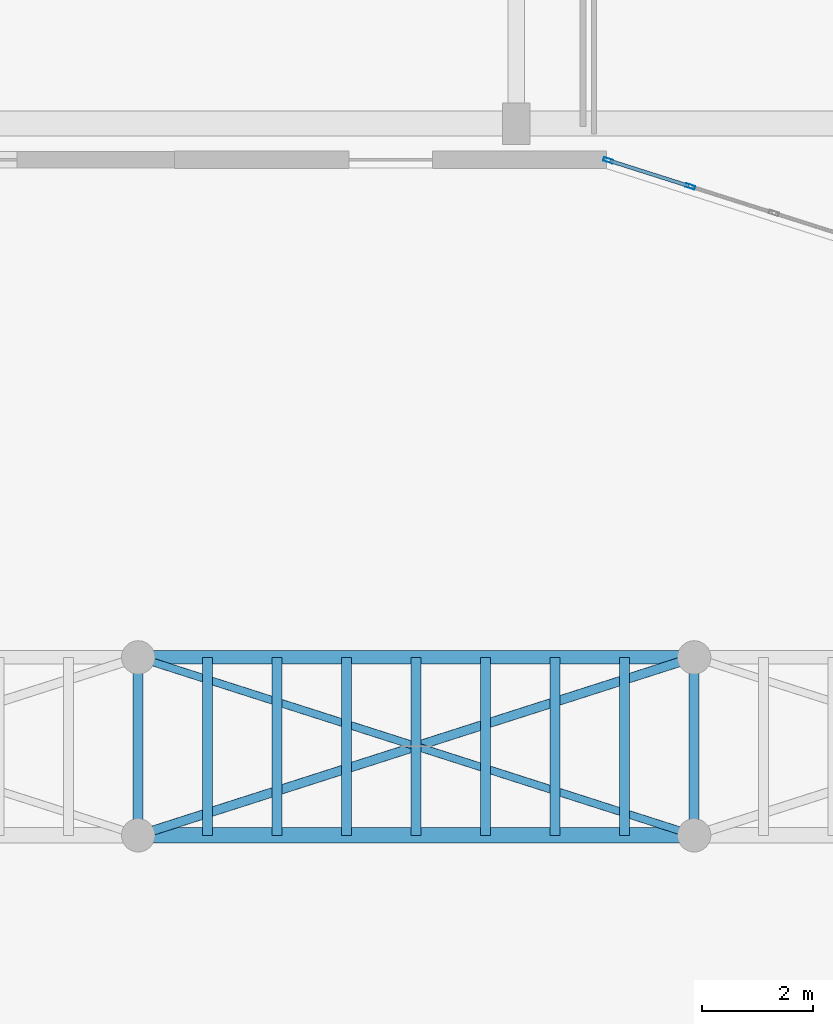
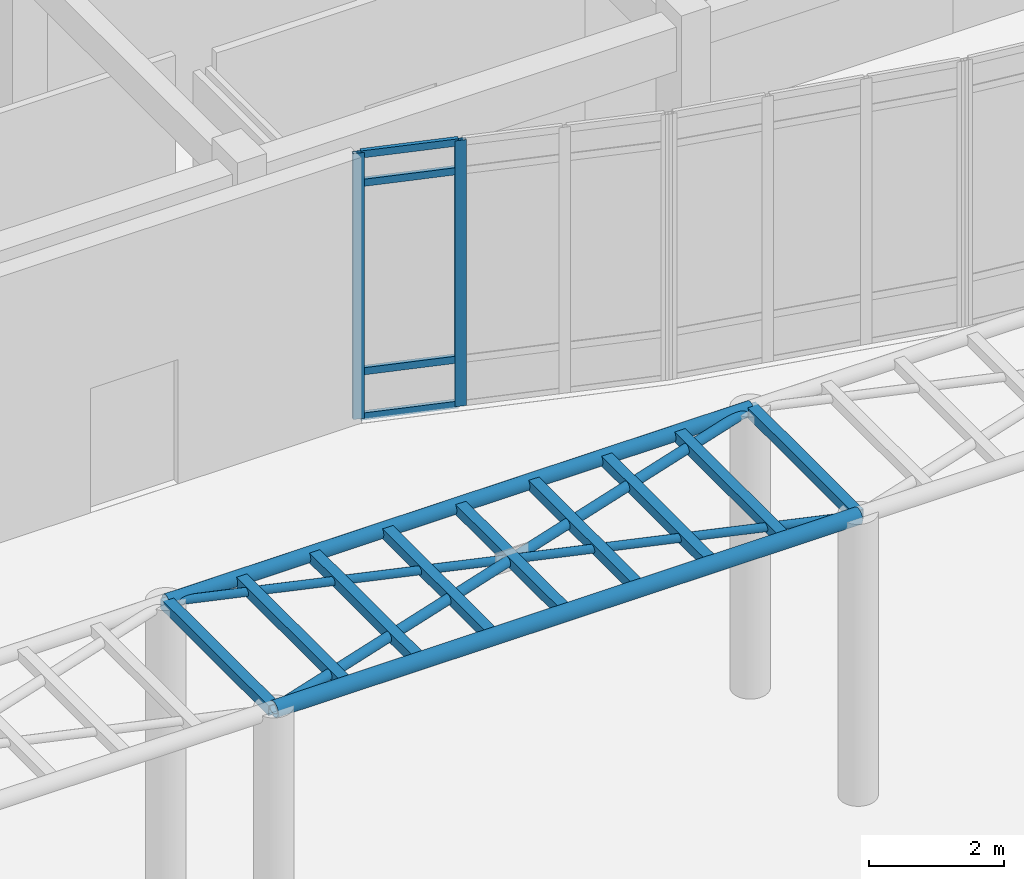
# One storey, part 44 of 121: 20 members, 1 element without a shape of its own.
"""IFC4 building model written with IfcOpenShell, lengths in metres."""

from ifc_helpers import new_model, si_unit, direction, frame, origin, origin_2d, place, context, subcontext, project, spatial, hollow_rectangle, hollow_circle, extrude, material, layer, layer_set, material_profile, profile_set, type_object, element, aggregate, save


model = new_model("IFC4")

# Units and contexts
model_context = context("Model", 3, precision=1e-05, world=origin(), true_north=direction((0.0, 1.0)))
body_context = subcontext(model_context, "Body", "Model", "MODEL_VIEW")
ifc_project = project(units=[si_unit("LENGTHUNIT", "METRE"), si_unit("AREAUNIT", "SQUARE_METRE"), si_unit("VOLUMEUNIT", "CUBIC_METRE"), si_unit("PLANEANGLEUNIT", "RADIAN"), si_unit("MASSUNIT", "GRAM", prefix="KILO")], contexts=[model_context])

# Site, building, storey
site_placement = place(None, origin())
site = spatial("IfcSite", under=ifc_project, at=site_placement, CompositionType="ELEMENT")
building_placement = place(site_placement, origin())
building = spatial("IfcBuilding", under=site, at=building_placement, Name="Valcora Specialist Clinic", CompositionType="ELEMENT")
storey_placement = place(building_placement, origin())
storey = spatial("IfcBuildingStorey", under=building, at=storey_placement, Name="L00", CompositionType="ELEMENT", Elevation=0.0)

# Curtain wall, members
ifc_material_1 = material(Name="Anodized Bronze Aluminium 6063-T6", Category="aluminium")
ifc_layer = layer(ifc_material_1, 0.175048828125)
ifc_layer_set = layer_set([ifc_layer], Name="Anodized Bronze Aluminium 6063-T6")
curtain_wall_type = type_object("IfcCurtainWallType", Name="TY-CW-ARC51", PredefinedType="NOTDEFINED", material=ifc_layer_set)
curtain_wall_placement = place(storey_placement, origin())
curtain_wall = element("IfcCurtainWall", 1, at=curtain_wall_placement, inside=storey, type_object=curtain_wall_type, Name="Curtain wall CW-L00-028", PredefinedType="NOTDEFINED")
ifc_material_profile_1 = material_profile(ifc_material_1, hollow_rectangle(XDim=0.06494140625, YDim=0.175048828125, WallThickness=0.00390625, at=origin_2d()), Name="AL-MUL-65X175")
ifc_profile_set_1 = profile_set([ifc_material_profile_1], Name="Anodized Bronze Aluminium 6063-T6")
member_type_1 = type_object("IfcMemberType", Name="TY-CWM-65X175", PredefinedType="MULLION", material=ifc_profile_set_1)
member_1_placement = place(storey_placement, frame((93.928466796875, 73.6708984375, 0.0), z_axis=(0.0, 0.0, 1.0), x_axis=(-0.303233270958, -0.952916356972, 0.0)))
member_1 = element("IfcMember", 2, at=member_1_placement, type_object=member_type_1, Name="CW-ARC-51 mullion 3", PredefinedType="MULLION", context=body_context, shape_type="SweptSolid", body=[
    extrude(hollow_rectangle(XDim=0.06494140625, YDim=0.175048828125, WallThickness=0.00390625, at=origin_2d()), origin(), (0.0, 0.0, 1.0), 4.81005859375),
])
member_2_placement = place(storey_placement, frame((92.454345703125, 74.14013671875, 0.0), z_axis=(0.0, 0.0, 1.0), x_axis=(-0.303233270958, -0.952916356972, 0.0)))
member_2 = element("IfcMember", 3, at=member_2_placement, type_object=member_type_1, Name="CW-ARC-51 mullion 4", PredefinedType="MULLION", context=body_context, shape_type="SweptSolid", body=[
    extrude(hollow_rectangle(XDim=0.06494140625, YDim=0.175048828125, WallThickness=0.00390625, at=origin_2d()), origin(), (0.0, 0.0, 1.0), 4.81005859375),
])
ifc_material_profile_2 = material_profile(ifc_material_1, hollow_rectangle(XDim=0.06494140625, YDim=0.1298828125, WallThickness=0.00390625, at=origin_2d()), Name="AL-TRN-65X130")
ifc_profile_set_2 = profile_set([ifc_material_profile_2], Name="Anodized Bronze Aluminium 6063-T6")
member_type_2 = type_object("IfcMemberType", Name="TY-CWT-65X130", PredefinedType="USERDEFINED", material=ifc_profile_set_2)
member_3_placement = place(storey_placement, frame((93.897705078125, 73.680908203125, 0.032470703125), z_axis=(-0.952910635624, 0.303251249816, 0.0), x_axis=(-0.303251249816, -0.952910635624, 0.0)))
member_3 = element("IfcMember", 4, at=member_3_placement, type_object=member_type_2, Name="CW-ARC-51 transom 3.1", ObjectType="TRANSOM", PredefinedType="USERDEFINED", context=body_context, shape_type="SweptSolid", body=[
    extrude(hollow_rectangle(XDim=0.06494140625, YDim=0.1298828125, WallThickness=0.00390625, at=origin_2d()), origin(), (0.0, 0.0, 1.0), 1.482177734375),
])
member_4_placement = place(storey_placement, frame((93.897705078125, 73.680908203125, 0.85009765625), z_axis=(-0.952910635624, 0.303251249816, 0.0), x_axis=(-0.303251249816, -0.952910635624, 0.0)))
member_4 = element("IfcMember", 5, at=member_4_placement, type_object=member_type_2, Name="CW-ARC-51 transom 3.2", ObjectType="TRANSOM", PredefinedType="USERDEFINED", context=body_context, shape_type="SweptSolid", body=[
    extrude(hollow_rectangle(XDim=0.06494140625, YDim=0.1298828125, WallThickness=0.00390625, at=origin_2d()), origin(), (0.0, 0.0, 1.0), 1.482177734375),
])
member_5_placement = place(storey_placement, frame((93.897705078125, 73.680908203125, 4.260009765625), z_axis=(-0.952910635624, 0.303251249816, 0.0), x_axis=(-0.303251249816, -0.952910635624, 0.0)))
member_5 = element("IfcMember", 6, at=member_5_placement, type_object=member_type_2, Name="CW-ARC-51 transom 3.3", ObjectType="TRANSOM", PredefinedType="USERDEFINED", context=body_context, shape_type="SweptSolid", body=[
    extrude(hollow_rectangle(XDim=0.06494140625, YDim=0.1298828125, WallThickness=0.00390625, at=origin_2d()), origin(), (0.0, 0.0, 1.0), 1.482177734375),
])
member_6_placement = place(storey_placement, frame((93.897705078125, 73.680908203125, 4.777587890625), z_axis=(-0.952910635624, 0.303251249816, 0.0), x_axis=(-0.303251249816, -0.952910635624, 0.0)))
member_6 = element("IfcMember", 7, at=member_6_placement, type_object=member_type_2, Name="CW-ARC-51 transom 3.4", ObjectType="TRANSOM", PredefinedType="USERDEFINED", context=body_context, shape_type="SweptSolid", body=[
    extrude(hollow_rectangle(XDim=0.06494140625, YDim=0.1298828125, WallThickness=0.00390625, at=origin_2d()), origin(), (0.0, 0.0, 1.0), 1.482177734375),
])
aggregate(curtain_wall, [member_1, member_2, member_3, member_4, member_5, member_6])

# Members
ifc_material_2 = material(Name="Steel ASTM A500 Grade C", Category="steel")
ifc_material_profile_3 = material_profile(ifc_material_2, hollow_circle(Radius=0.1220703125, WallThickness=0.010009765625, at=origin_2d()), Name="ST-CHS-244X10")
ifc_profile_set_3 = profile_set([ifc_material_profile_3], Name="Steel ASTM A500 Grade C")
member_type_3 = type_object("IfcMemberType", Name="TY-MB-GSC244", PredefinedType="CHORD", material=ifc_profile_set_3)
member_7_placement = place(storey_placement, frame((84.0, 65.199951171875, 5.050048828125), z_axis=(1.0, 0.0, 0.0), x_axis=(0.0, 1.0, 0.0)))
element("IfcMember", 8, at=member_7_placement, inside=storey, type_object=member_type_3, Name="Garden pergola edge chord MB-L00-0998", PredefinedType="CHORD", context=body_context, shape_type="SweptSolid", body=[
    extrude(hollow_circle(Radius=0.1220703125, WallThickness=0.010009765625, at=origin_2d()), origin(), (0.0, 0.0, 1.0), 10.0),
])
ifc_material_profile_4 = material_profile(ifc_material_2, hollow_circle(Radius=0.136474609375, WallThickness=0.011962890625, at=origin_2d()), Name="ST-CHS-273X12")
ifc_profile_set_4 = profile_set([ifc_material_profile_4], Name="Steel ASTM A500 Grade C")
member_type_4 = type_object("IfcMemberType", Name="TY-MB-GSC273", PredefinedType="CHORD", material=ifc_profile_set_4)
member_8_placement = place(storey_placement, frame((84.0, 62.0, 5.050048828125), z_axis=(1.0, 0.0, 0.0), x_axis=(0.0, 1.0, 0.0)))
element("IfcMember", 9, at=member_8_placement, inside=storey, type_object=member_type_4, Name="Garden pergola main chord MB-L00-0997", PredefinedType="CHORD", context=body_context, shape_type="SweptSolid", body=[
    extrude(hollow_circle(Radius=0.136474609375, WallThickness=0.011962890625, at=origin_2d()), origin(), (0.0, 0.0, 1.0), 10.0),
])
ifc_material_profile_5 = material_profile(ifc_material_2, hollow_circle(Radius=0.070068359375, WallThickness=0.006103515625, at=origin_2d()), Name="ST-CHS-140X6")
ifc_profile_set_5 = profile_set([ifc_material_profile_5], Name="Steel ASTM A500 Grade C")
member_type_5 = type_object("IfcMemberType", Name="TY-MB-GSD140", PredefinedType="BRACE", material=ifc_profile_set_5)
for number, where, z_axis, x_axis, name in (
    (10, (84.0, 65.199951171875, 5.050048828125), (0.952432246511, -0.304750415595, 0.0), (0.304750415595, 0.952432246511, 0.0), "Garden pergola split counter brace A MB-L00-1000"),
    (11, (89.0, 63.60009765625, 5.050048828125), (0.952418747361, -0.304792601084, 0.0), (0.304792601084, 0.952418747361, 0.0), "Garden pergola split counter brace B 186"),
):
    element("IfcMember", number, at=place(storey_placement, frame(where, z_axis=z_axis, x_axis=x_axis)), inside=storey, type_object=member_type_5, Name=name, PredefinedType="BRACE", context=body_context, shape_type="SweptSolid", body=[
        extrude(hollow_circle(Radius=0.070068359375, WallThickness=0.006103515625, at=origin_2d()), origin(), (0.0, 0.0, 1.0), 5.249755859375),
    ])
ifc_material_profile_6 = material_profile(ifc_material_2, hollow_circle(Radius=0.083984375, WallThickness=0.008056640625, at=origin_2d()), Name="ST-CHS-168X8")
ifc_profile_set_6 = profile_set([ifc_material_profile_6], Name="Steel ASTM A500 Grade C")
member_type_6 = type_object("IfcMemberType", Name="TY-MB-GSD168", PredefinedType="BRACE", material=ifc_profile_set_6)
member_9_placement = place(storey_placement, frame((84.0, 62.0, 5.050048828125), z_axis=(0.952425497122, 0.304771508564, 0.0), x_axis=(-0.304771508564, 0.952425497122, 0.0)))
element("IfcMember", 12, at=member_9_placement, inside=storey, type_object=member_type_6, Name="Garden pergola plan brace MB-L00-0999", PredefinedType="BRACE", context=body_context, shape_type="SweptSolid", body=[
    extrude(hollow_circle(Radius=0.083984375, WallThickness=0.008056640625, at=origin_2d()), origin(), (0.0, 0.0, 1.0), 10.49951171875),
])
ifc_material_profile_7 = material_profile(ifc_material_2, hollow_rectangle(XDim=0.179931640625, YDim=0.179931640625, WallThickness=0.008056640625, at=origin_2d()), Name="ST-RHS-180X180X8")
ifc_profile_set_7 = profile_set([ifc_material_profile_7], Name="Steel ASTM A500 Grade C")
member_type_7 = type_object("IfcMemberType", Name="TY-MB-PR180", PredefinedType="PURLIN", material=ifc_profile_set_7)
for number, where, z_axis, x_axis, name in (
    (13, (84.0, 62.0, 5.050048828125), (0.0, 1.0, 0.0), (-1.0, 0.0, 0.0), "Garden pergola purlin MB-L00-1001"),
    (14, (85.25, 62.0, 5.050048828125), (0.0, 1.0, 0.0), (-1.0, 0.0, 0.0), "Garden pergola purlin MB-L00-1002"),
    (15, (86.5, 62.0, 5.050048828125), (0.0, 1.0, 0.0), (-1.0, 0.0, 0.0), "Garden pergola purlin MB-L00-1003"),
    (16, (87.75, 62.0, 5.050048828125), (0.0, 1.0, 0.0), (-1.0, 0.0, 0.0), "Garden pergola purlin MB-L00-1004"),
    (17, (89.0, 62.0, 5.050048828125), (0.0, 1.0, 0.0), (-1.0, 0.0, 0.0), "Garden pergola purlin MB-L00-1005"),
    (18, (90.25, 62.0, 5.050048828125), (0.0, 1.0, 0.0), (-1.0, 0.0, 0.0), "Garden pergola purlin MB-L00-1006"),
    (19, (91.5, 62.0, 5.050048828125), (0.0, 1.0, 0.0), (-1.0, 0.0, 0.0), "Garden pergola purlin MB-L00-1007"),
    (20, (92.75, 62.0, 5.050048828125), (0.0, 1.0, 0.0), (-1.0, 0.0, 0.0), "Garden pergola purlin MB-L00-1008"),
    (21, (94.0, 62.0, 5.050048828125), (0.0, 1.0, 0.0), (-1.0, 0.0, 0.0), "Garden pergola purlin MB-L00-1013"),
):
    element("IfcMember", number, at=place(storey_placement, frame(where, z_axis=z_axis, x_axis=x_axis)), inside=storey, type_object=member_type_7, Name=name, PredefinedType="PURLIN", context=body_context, shape_type="SweptSolid", body=[
        extrude(hollow_rectangle(XDim=0.179931640625, YDim=0.179931640625, WallThickness=0.008056640625, at=origin_2d()), origin(), (0.0, 0.0, 1.0), 3.199951171875),
    ])

save(model, "model.ifc")
